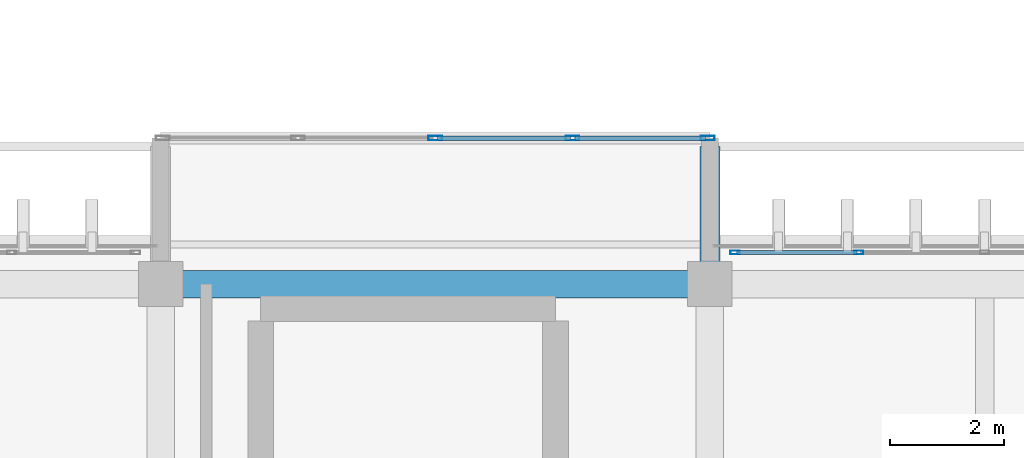
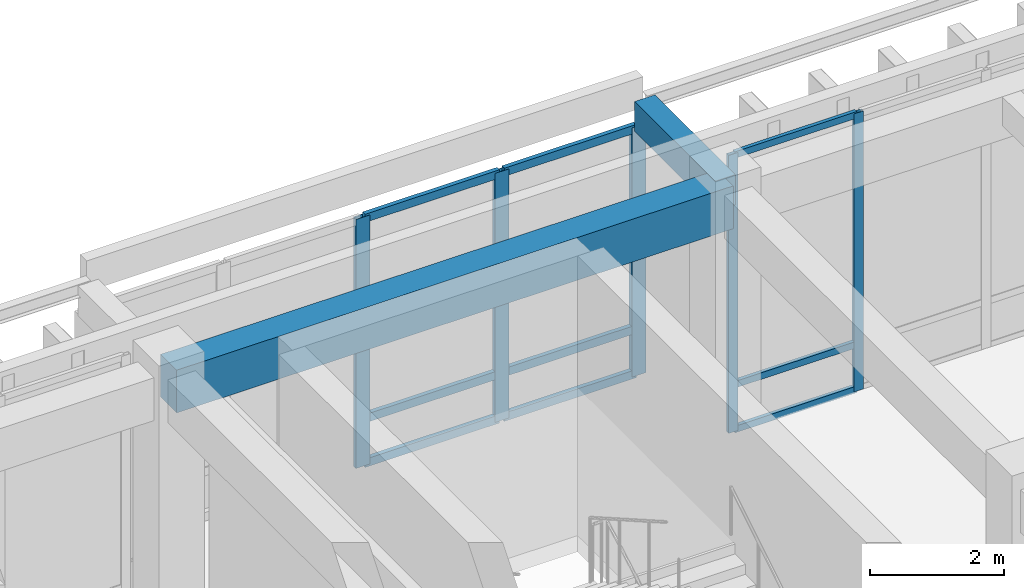
# One storey, part 54 of 134: 14 members, 2 beams, 2 elements without a shape of their own.
"""IFC4 building model written with IfcOpenShell, lengths in metres."""

from ifc_helpers import new_model, si_unit, direction, frame, origin, origin_2d, place, context, subcontext, project, spatial, rectangle, hollow_rectangle, extrude, material, layer, layer_set, material_profile, profile_set, type_object, element, aggregate, save


model = new_model("IFC4")

# Units and contexts
model_context = context("Model", 3, precision=1e-05, world=origin(), true_north=direction((0.0, 1.0)))
body_context = subcontext(model_context, "Body", "Model", "MODEL_VIEW")
ifc_project = project(units=[si_unit("LENGTHUNIT", "METRE"), si_unit("AREAUNIT", "SQUARE_METRE"), si_unit("VOLUMEUNIT", "CUBIC_METRE"), si_unit("PLANEANGLEUNIT", "RADIAN"), si_unit("MASSUNIT", "GRAM", prefix="KILO")], contexts=[model_context])

# Site, building, storey
site_placement = place(None, origin())
site = spatial("IfcSite", under=ifc_project, at=site_placement, CompositionType="ELEMENT")
building_placement = place(site_placement, origin())
building = spatial("IfcBuilding", under=site, at=building_placement, Name="Nakhvara Creek Congress Hotel", CompositionType="ELEMENT")
storey_placement = place(building_placement, frame((0.0, 0.0, 6.0)))
storey = spatial("IfcBuildingStorey", under=building, at=storey_placement, Name="L01", CompositionType="ELEMENT", Elevation=6.0)

# Beams
ifc_material_1 = material(Name="Concrete C40/50", Category="concrete")
ifc_material_profile_1 = material_profile(ifc_material_1, rectangle(XDim=0.35009765625, YDim=0.550048828125, at=origin_2d()), Name="RC-BM 350x550", Category="LoadBearing")
ifc_profile_set_1 = profile_set([ifc_material_profile_1], Name="Concrete C40/50")
beam_type_1 = type_object("IfcBeamType", Name="BM-CANT-BOX", PredefinedType="BEAM", material=ifc_profile_set_1)
beam_1_placement = place(storey_placement, frame((124.800048828125, 95.25, 4.824951171875), z_axis=(0.0, 1.0, 0.0), x_axis=(-1.0, 0.0, 0.0)))
element("IfcBeam", 1, at=beam_1_placement, inside=storey, type_object=beam_type_1, Name="Foyer Box Outrigger Beam PBOX-L02-N3-124", PredefinedType="BEAM", context=body_context, shape_type="SweptSolid", body=[
    extrude(rectangle(XDim=0.35009765625, YDim=0.550048828125, at=origin_2d()), origin(), (0.0, 0.0, 1.0), 2.39990234375),
])
ifc_material_profile_2 = material_profile(ifc_material_1, rectangle(XDim=0.47998046875, YDim=0.780029296875, at=origin_2d()), Name="RC-BM 480x780", Category="LoadBearing")
ifc_profile_set_2 = profile_set([ifc_material_profile_2], Name="Concrete C40/50")
beam_type_2 = type_object("IfcBeamType", Name="BM-RC-480X780", PredefinedType="BEAM", material=ifc_profile_set_2)
beam_2_placement = place(storey_placement, frame((115.199951171875, 95.25, 4.7099609375), z_axis=(1.0, 0.0, 0.0), x_axis=(0.0, 1.0, 0.0)))
element("IfcBeam", 2, at=beam_2_placement, inside=storey, type_object=beam_type_2, Name="Beam B13-L01-1216", PredefinedType="BEAM", context=body_context, shape_type="SweptSolid", body=[
    extrude(rectangle(XDim=0.47998046875, YDim=0.780029296875, at=origin_2d()), origin(), (0.0, 0.0, 1.0), 9.60009765625),
])

# Curtain wall, members
ifc_material_2 = material(Name="Bronze-anodised aluminium AW-6063-T6 and double-silver low-E glass", Category="aluminium")
ifc_layer_1 = layer(ifc_material_2, 0.199951171875)
ifc_layer_set_1 = layer_set([ifc_layer_1], Name="Bronze-anodised aluminium AW-6063-T6 and double-silver low-E glass")
curtain_wall_type_1 = type_object("IfcCurtainWallType", Name="CW-POD-STICK", PredefinedType="NOTDEFINED", material=ifc_layer_set_1)
curtain_wall_1_placement = place(storey_placement, origin())
curtain_wall_1 = element("IfcCurtainWall", 3, at=curtain_wall_1_placement, inside=storey, type_object=curtain_wall_type_1, Name="Curtain Wall CW072", PredefinedType="NOTDEFINED")
ifc_material_3 = material(Name="Bronze-anodised aluminium AW-6063-T6", Category="aluminium")
ifc_material_profile_3 = material_profile(ifc_material_3, hollow_rectangle(XDim=0.06494140625, YDim=0.159912109375, WallThickness=0.00390625, at=origin_2d()), Name="ALU-MULL 65x160x4", Category="LoadBearing")
ifc_profile_set_3 = profile_set([ifc_material_profile_3], Name="Bronze-anodised aluminium AW-6063-T6")
member_type_1 = type_object("IfcMemberType", Name="CW-MULL-160", PredefinedType="MULLION", material=ifc_profile_set_3)
member_1_placement = place(storey_placement, frame((125.237548828125, 95.800048828125, 0.0), z_axis=(0.0, 0.0, 1.0), x_axis=(0.0, 1.0, 0.0)))
member_1 = element("IfcMember", 4, at=member_1_placement, type_object=member_type_1, Name="CW072 mullion 1", PredefinedType="MULLION", context=body_context, shape_type="SweptSolid", body=[
    extrude(hollow_rectangle(XDim=0.06494140625, YDim=0.159912109375, WallThickness=0.00390625, at=origin_2d()), origin(), (0.0, 0.0, 1.0), 5.070068359375),
])
member_2_placement = place(storey_placement, frame((127.402587890625, 95.800048828125, 0.0), z_axis=(0.0, 0.0, 1.0), x_axis=(0.0, 1.0, 0.0)))
member_2 = element("IfcMember", 5, at=member_2_placement, type_object=member_type_1, Name="CW072 mullion 2", PredefinedType="MULLION", context=body_context, shape_type="SweptSolid", body=[
    extrude(hollow_rectangle(XDim=0.06494140625, YDim=0.159912109375, WallThickness=0.00390625, at=origin_2d()), origin(), (0.0, 0.0, 1.0), 5.070068359375),
])

ifc_layer_2 = layer(ifc_material_2, 0.219970703125)
ifc_layer_set_2 = layer_set([ifc_layer_2], Name="Bronze-anodised aluminium AW-6063-T6 and double-silver low-E glass")
curtain_wall_type_2 = type_object("IfcCurtainWallType", Name="CW-BOX-PROJ", PredefinedType="USERDEFINED", material=ifc_layer_set_2)
curtain_wall_2_placement = place(storey_placement, origin())
curtain_wall_2 = element("IfcCurtainWall", 6, at=curtain_wall_2_placement, inside=storey, type_object=curtain_wall_type_2, Name="Curtain Wall CW066", ObjectType="UNITISED", PredefinedType="USERDEFINED")
ifc_material_profile_4 = material_profile(ifc_material_3, hollow_rectangle(XDim=0.080078125, YDim=0.239990234375, WallThickness=0.0048828125, at=origin_2d()), Name="ALU-MULL 80x240x5", Category="LoadBearing")
ifc_profile_set_4 = profile_set([ifc_material_profile_4], Name="Bronze-anodised aluminium AW-6063-T6")
member_type_2 = type_object("IfcMemberType", Name="CW-MULL-240", PredefinedType="MULLION", material=ifc_profile_set_4)
member_3_placement = place(storey_placement, frame((120.0, 97.800048828125, 0.0), z_axis=(0.0, 0.0, 1.0), x_axis=(0.0, 1.0, 0.0)))
member_3 = element("IfcMember", 7, at=member_3_placement, type_object=member_type_2, Name="CW066 mullion 3", PredefinedType="MULLION", context=body_context, shape_type="SweptSolid", body=[
    extrude(hollow_rectangle(XDim=0.080078125, YDim=0.239990234375, WallThickness=0.0048828125, at=origin_2d()), origin(), (0.0, 0.0, 1.0), 4.5419921875),
])
member_4_placement = place(storey_placement, frame((122.39990234375, 97.800048828125, 0.0), z_axis=(0.0, 0.0, 1.0), x_axis=(0.0, 1.0, 0.0)))
member_4 = element("IfcMember", 8, at=member_4_placement, type_object=member_type_2, Name="CW066 mullion 4", PredefinedType="MULLION", context=body_context, shape_type="SweptSolid", body=[
    extrude(hollow_rectangle(XDim=0.080078125, YDim=0.239990234375, WallThickness=0.0048828125, at=origin_2d()), origin(), (0.0, 0.0, 1.0), 4.5419921875),
])
member_5_placement = place(storey_placement, frame((124.760009765625, 97.800048828125, 0.0), z_axis=(0.0, 0.0, 1.0), x_axis=(0.0, 1.0, 0.0)))
member_5 = element("IfcMember", 9, at=member_5_placement, type_object=member_type_2, Name="CW066 mullion 5", PredefinedType="MULLION", context=body_context, shape_type="SweptSolid", body=[
    extrude(hollow_rectangle(XDim=0.080078125, YDim=0.239990234375, WallThickness=0.0048828125, at=origin_2d()), origin(), (0.0, 0.0, 1.0), 4.5419921875),
])

# Member
ifc_material_profile_5 = material_profile(ifc_material_3, hollow_rectangle(XDim=0.06494140625, YDim=0.1201171875, WallThickness=0.00390625, at=origin_2d()), Name="ALU-TRAN 65x120x4", Category="LoadBearing")
ifc_profile_set_5 = profile_set([ifc_material_profile_5], Name="Bronze-anodised aluminium AW-6063-T6")
member_type_3 = type_object("IfcMemberType", Name="CW-TRAN-120", PredefinedType="USERDEFINED", material=ifc_profile_set_5)
member_6_placement = place(storey_placement, frame((125.27001953125, 95.800048828125, 0.032470703125), z_axis=(1.0, 0.0, 0.0), x_axis=(0.0, 1.0, 0.0)))
member_6 = element("IfcMember", 10, at=member_6_placement, type_object=member_type_3, Name="CW072 transom 1.1", ObjectType="TRANSOM", PredefinedType="USERDEFINED", context=body_context, shape_type="SweptSolid", body=[
    extrude(hollow_rectangle(XDim=0.06494140625, YDim=0.1201171875, WallThickness=0.00390625, at=origin_2d()), origin(), (0.0, 0.0, 1.0), 2.10009765625),
])

member_7_placement = place(storey_placement, frame((125.27001953125, 95.800048828125, 0.85009765625), z_axis=(1.0, 0.0, 0.0), x_axis=(0.0, 1.0, 0.0)))
member_7 = element("IfcMember", 11, at=member_7_placement, type_object=member_type_3, Name="CW072 transom 1.2", ObjectType="TRANSOM", PredefinedType="USERDEFINED", context=body_context, shape_type="SweptSolid", body=[
    extrude(hollow_rectangle(XDim=0.06494140625, YDim=0.1201171875, WallThickness=0.00390625, at=origin_2d()), origin(), (0.0, 0.0, 1.0), 2.10009765625),
])

member_8_placement = place(storey_placement, frame((125.27001953125, 95.800048828125, 5.03759765625), z_axis=(1.0, 0.0, 0.0), x_axis=(0.0, 1.0, 0.0)))
member_8 = element("IfcMember", 12, at=member_8_placement, type_object=member_type_3, Name="CW072 transom 1.3", ObjectType="TRANSOM", PredefinedType="USERDEFINED", context=body_context, shape_type="SweptSolid", body=[
    extrude(hollow_rectangle(XDim=0.06494140625, YDim=0.1201171875, WallThickness=0.00390625, at=origin_2d()), origin(), (0.0, 0.0, 1.0), 2.10009765625),
])

aggregate(curtain_wall_1, [member_1, member_2, member_6, member_7, member_8])

ifc_material_profile_6 = material_profile(ifc_material_3, hollow_rectangle(XDim=0.074951171875, YDim=0.14990234375, WallThickness=0.00390625, at=origin_2d()), Name="ALU-TRAN 75x150x4", Category="LoadBearing")
ifc_profile_set_6 = profile_set([ifc_material_profile_6], Name="Bronze-anodised aluminium AW-6063-T6")
member_type_4 = type_object("IfcMemberType", Name="CW-TRAN-150", PredefinedType="USERDEFINED", material=ifc_profile_set_6)
member_9_placement = place(storey_placement, frame((120.0400390625, 97.800048828125, 0.03759765625), z_axis=(1.0, 0.0, 0.0), x_axis=(0.0, 1.0, 0.0)))
member_9 = element("IfcMember", 13, at=member_9_placement, type_object=member_type_4, Name="CW066 transom 3.1", ObjectType="TRANSOM", PredefinedType="USERDEFINED", context=body_context, shape_type="SweptSolid", body=[
    extrude(hollow_rectangle(XDim=0.074951171875, YDim=0.14990234375, WallThickness=0.00390625, at=origin_2d()), origin(), (0.0, 0.0, 1.0), 2.320068359375),
])

member_10_placement = place(storey_placement, frame((120.0400390625, 97.800048828125, 0.85009765625), z_axis=(1.0, 0.0, 0.0), x_axis=(0.0, 1.0, 0.0)))
member_10 = element("IfcMember", 14, at=member_10_placement, type_object=member_type_4, Name="CW066 transom 3.2", ObjectType="TRANSOM", PredefinedType="USERDEFINED", context=body_context, shape_type="SweptSolid", body=[
    extrude(hollow_rectangle(XDim=0.074951171875, YDim=0.14990234375, WallThickness=0.00390625, at=origin_2d()), origin(), (0.0, 0.0, 1.0), 2.320068359375),
])

member_11_placement = place(storey_placement, frame((120.0400390625, 97.800048828125, 4.50439453125), z_axis=(1.0, 0.0, 0.0), x_axis=(0.0, 1.0, 0.0)))
member_11 = element("IfcMember", 15, at=member_11_placement, type_object=member_type_4, Name="CW066 transom 3.3", ObjectType="TRANSOM", PredefinedType="USERDEFINED", context=body_context, shape_type="SweptSolid", body=[
    extrude(hollow_rectangle(XDim=0.074951171875, YDim=0.14990234375, WallThickness=0.00390625, at=origin_2d()), origin(), (0.0, 0.0, 1.0), 2.320068359375),
])

member_12_placement = place(storey_placement, frame((122.43994140625, 97.800048828125, 0.03759765625), z_axis=(1.0, 0.0, 0.0), x_axis=(0.0, 1.0, 0.0)))
member_12 = element("IfcMember", 16, at=member_12_placement, type_object=member_type_4, Name="CW066 transom 4.1", ObjectType="TRANSOM", PredefinedType="USERDEFINED", context=body_context, shape_type="SweptSolid", body=[
    extrude(hollow_rectangle(XDim=0.074951171875, YDim=0.14990234375, WallThickness=0.00390625, at=origin_2d()), origin(), (0.0, 0.0, 1.0), 2.280029296875),
])

member_13_placement = place(storey_placement, frame((122.43994140625, 97.800048828125, 0.85009765625), z_axis=(1.0, 0.0, 0.0), x_axis=(0.0, 1.0, 0.0)))
member_13 = element("IfcMember", 17, at=member_13_placement, type_object=member_type_4, Name="CW066 transom 4.2", ObjectType="TRANSOM", PredefinedType="USERDEFINED", context=body_context, shape_type="SweptSolid", body=[
    extrude(hollow_rectangle(XDim=0.074951171875, YDim=0.14990234375, WallThickness=0.00390625, at=origin_2d()), origin(), (0.0, 0.0, 1.0), 2.280029296875),
])

member_14_placement = place(storey_placement, frame((122.43994140625, 97.800048828125, 4.50439453125), z_axis=(1.0, 0.0, 0.0), x_axis=(0.0, 1.0, 0.0)))
member_14 = element("IfcMember", 18, at=member_14_placement, type_object=member_type_4, Name="CW066 transom 4.3", ObjectType="TRANSOM", PredefinedType="USERDEFINED", context=body_context, shape_type="SweptSolid", body=[
    extrude(hollow_rectangle(XDim=0.074951171875, YDim=0.14990234375, WallThickness=0.00390625, at=origin_2d()), origin(), (0.0, 0.0, 1.0), 2.280029296875),
])

aggregate(curtain_wall_2, [member_3, member_4, member_5, member_9, member_10, member_11, member_12, member_13, member_14])

save(model, "model.ifc")
